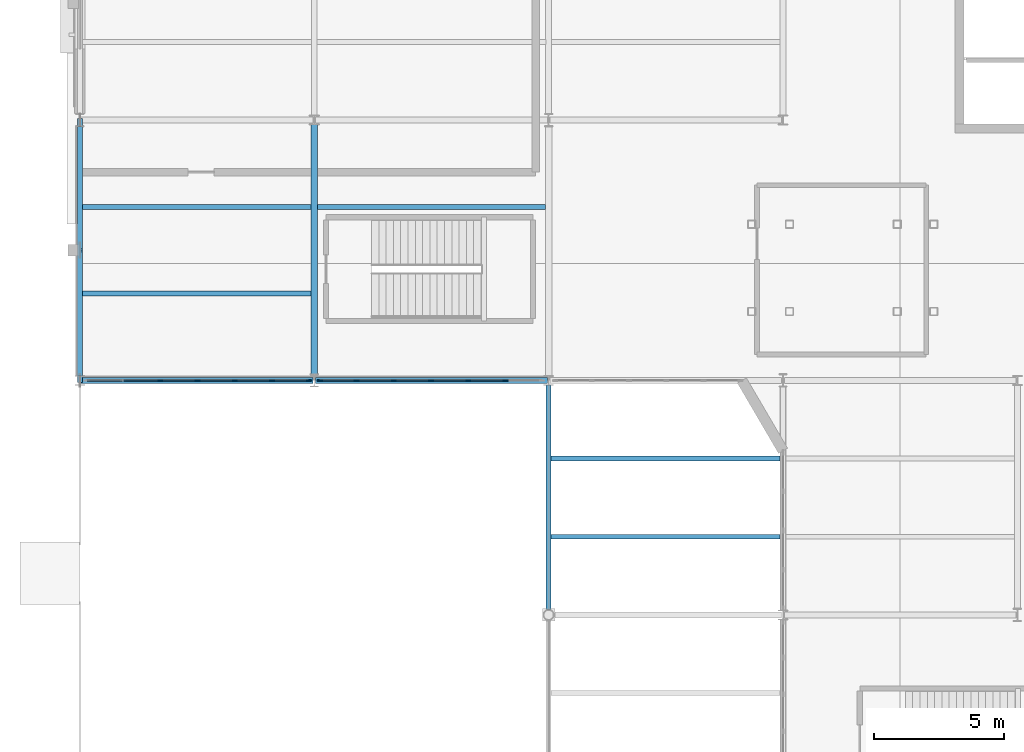
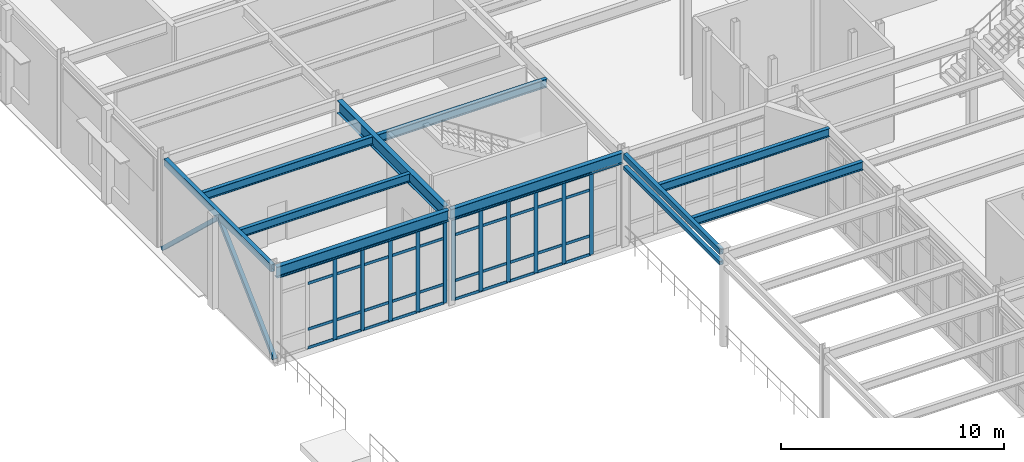
# One storey, part 29 of 79: 54 members, 11 beams, 2 elements without a shape of their own.
"""IFC4 building model written with IfcOpenShell, lengths in metres."""

from ifc_helpers import new_model, si_unit, direction, frame, origin, origin_2d, place, context, subcontext, project, spatial, rectangle, hollow_rectangle, i_section, extrude, material, material_profile, profile_set, type_object, element, aggregate, save


model = new_model("IFC4")

# Units and contexts
model_context = context("Model", 3, precision=1e-05, world=origin(), true_north=direction((0.0, 1.0)))
body_context = subcontext(model_context, "Body", "Model", "MODEL_VIEW")
ifc_project = project(units=[si_unit("LENGTHUNIT", "METRE"), si_unit("AREAUNIT", "SQUARE_METRE"), si_unit("VOLUMEUNIT", "CUBIC_METRE"), si_unit("PLANEANGLEUNIT", "RADIAN"), si_unit("MASSUNIT", "GRAM", prefix="KILO")], contexts=[model_context])

# Site, building, storey
site_placement = place(None, origin())
site = spatial("IfcSite", under=ifc_project, at=site_placement, CompositionType="ELEMENT")
building_placement = place(site_placement, origin())
building = spatial("IfcBuilding", under=site, at=building_placement, Name="Glasvene Arena", CompositionType="ELEMENT")
storey_placement = place(building_placement, origin())
storey = spatial("IfcBuildingStorey", under=building, at=storey_placement, Name="L00", CompositionType="ELEMENT", Elevation=0.0)

# Beams
ifc_material_1 = material(Name="Steel S355J2", Category="steel")
ifc_material_profile_1 = material_profile(ifc_material_1, i_section(OverallWidth=0.228271484375, OverallDepth=0.607666015625, WebThickness=0.010986328125, FlangeThickness=0.017333984375, FilletRadius=0.0126953125, at=origin_2d()), Name="UKB 610x229x113")
ifc_profile_set_1 = profile_set([ifc_material_profile_1], Name="Steel S355J2")
beam_type_1 = type_object("IfcBeamType", Name="BM-GIRD-610", PredefinedType="BEAM", material=ifc_profile_set_1)
for number, where, z_axis, x_axis, name in (
    (1, (0.050048828125, 54.0, 4.816162109375), (1.0, 0.0, 0.0), (0.0, 1.0, 0.0), "Primary X girder L00-0307"),
    (2, (9.050048828125, 54.0, 4.816162109375), (1.0, 0.0, 0.0), (0.0, 1.0, 0.0), "Primary X girder L00-0308"),
):
    element("IfcBeam", number, at=place(storey_placement, frame(where, z_axis=z_axis, x_axis=x_axis)), inside=storey, type_object=beam_type_1, Name=name, PredefinedType="BEAM", context=body_context, shape_type="SweptSolid", body=[
        extrude(i_section(OverallWidth=0.228271484375, OverallDepth=0.607666015625, WebThickness=0.010986328125, FlangeThickness=0.017333984375, FilletRadius=0.0126953125, at=origin_2d()), origin(), (0.0, 0.0, 1.0), 8.89990234375),
    ])
ifc_material_profile_2 = material_profile(ifc_material_1, i_section(OverallWidth=0.253662109375, OverallDepth=0.68359375, WebThickness=0.012451171875, FlangeThickness=0.01904296875, FilletRadius=0.01513671875, at=origin_2d()), Name="UKB 686x254x140")
ifc_profile_set_2 = profile_set([ifc_material_profile_2], Name="Steel S355J2")
beam_type_2 = type_object("IfcBeamType", Name="BM-GIRD-686", PredefinedType="BEAM", material=ifc_profile_set_2)
beam_1_placement = place(storey_placement, frame((9.0, 54.2451171875, 4.7783203125), z_axis=(0.0, 1.0, 0.0), x_axis=(-1.0, 0.0, 0.0)))
element("IfcBeam", 3, at=beam_1_placement, inside=storey, type_object=beam_type_2, Name="Primary Y girder L00-0365", PredefinedType="BEAM", context=body_context, shape_type="SweptSolid", body=[
    extrude(i_section(OverallWidth=0.253662109375, OverallDepth=0.68359375, WebThickness=0.012451171875, FlangeThickness=0.01904296875, FilletRadius=0.01513671875, at=origin_2d()), origin(), (0.0, 0.0, 1.0), 9.57568359375),
])
ifc_material_profile_3 = material_profile(ifc_material_1, i_section(OverallWidth=0.1904296875, OverallDepth=0.45703125, WebThickness=0.009033203125, FlangeThickness=0.014404296875, FilletRadius=0.01025390625, at=origin_2d()), Name="UKB 457x191x74")
ifc_profile_set_3 = profile_set([ifc_material_profile_3], Name="Steel S355J2")
beam_type_3 = type_object("IfcBeamType", Name="BM-JOIST-457", PredefinedType="JOIST", material=ifc_profile_set_3)
for number, where, z_axis, x_axis, name in (
    (4, (0.095947265625, 57.333251953125, 4.8916015625), (1.0, 0.0, 0.0), (0.0, 1.0, 0.0), "Composite floor joist L00-0430"),
    (5, (0.095947265625, 60.666748046875, 4.8916015625), (1.0, 0.0, 0.0), (0.0, 1.0, 0.0), "Composite floor joist L00-0431"),
):
    element("IfcBeam", number, at=place(storey_placement, frame(where, z_axis=z_axis, x_axis=x_axis)), inside=storey, type_object=beam_type_3, Name=name, PredefinedType="JOIST", context=body_context, shape_type="SweptSolid", body=[
        extrude(i_section(OverallWidth=0.1904296875, OverallDepth=0.45703125, WebThickness=0.009033203125, FlangeThickness=0.014404296875, FilletRadius=0.01025390625, at=origin_2d()), origin(), (0.0, 0.0, 1.0), 8.78125),
    ])
beam_2_placement = place(storey_placement, frame((9.122802734375, 60.666748046875, 4.8916015625), z_axis=(1.0, 0.0, 0.0), x_axis=(0.0, 1.0, 0.0)))
element("IfcBeam", 6, at=beam_2_placement, inside=storey, type_object=beam_type_3, Name="Composite floor joist L00-0440", PredefinedType="JOIST", context=body_context, shape_type="SweptSolid", body=[
    extrude(i_section(OverallWidth=0.1904296875, OverallDepth=0.45703125, WebThickness=0.009033203125, FlangeThickness=0.014404296875, FilletRadius=0.01025390625, at=origin_2d()), origin(), (0.0, 0.0, 1.0), 8.75439453125),
])
for number, where, z_axis, x_axis, name in (
    (7, (18.095947265625, 48.0, 4.8916015625), (1.0, 0.0, 0.0), (0.0, 1.0, 0.0), "Composite floor joist L00-0452"),
    (8, (18.095947265625, 51.0, 4.8916015625), (1.0, 0.0, 0.0), (0.0, 1.0, 0.0), "Composite floor joist L00-0453"),
):
    element("IfcBeam", number, at=place(storey_placement, frame(where, z_axis=z_axis, x_axis=x_axis)), inside=storey, type_object=beam_type_3, Name=name, PredefinedType="JOIST", context=body_context, shape_type="SweptSolid", body=[
        extrude(i_section(OverallWidth=0.1904296875, OverallDepth=0.45703125, WebThickness=0.009033203125, FlangeThickness=0.014404296875, FilletRadius=0.01025390625, at=origin_2d()), origin(), (0.0, 0.0, 1.0), 8.7939453125),
    ])
ifc_material_profile_4 = material_profile(ifc_material_1, hollow_rectangle(XDim=0.199951171875, YDim=0.199951171875, WallThickness=0.010009765625, at=origin_2d()), Name="SHS 200x200x10.0")
ifc_profile_set_4 = profile_set([ifc_material_profile_4], Name="Steel S355J2")
beam_type_4 = type_object("IfcBeamType", Name="BM-LINTEL-200", PredefinedType="LINTEL", material=ifc_profile_set_4)
beam_3_placement = place(storey_placement, frame((18.0, 45.19921875, 4.340087890625), z_axis=(0.0, 1.0, 0.0), x_axis=(-1.0, 0.0, 0.0)))
element("IfcBeam", 9, at=beam_3_placement, inside=storey, type_object=beam_type_4, Name="Passage portal lintel L00-2-5", PredefinedType="LINTEL", context=body_context, shape_type="SweptSolid", body=[
    extrude(hollow_rectangle(XDim=0.199951171875, YDim=0.199951171875, WallThickness=0.010009765625, at=origin_2d()), origin(), (0.0, 0.0, 1.0), 8.62060546875),
])
ifc_material_profile_5 = material_profile(ifc_material_1, hollow_rectangle(XDim=0.199951171875, YDim=0.300048828125, WallThickness=0.012451171875, at=origin_2d()), Name="RHS 300x200x12.5")
ifc_profile_set_5 = profile_set([ifc_material_profile_5], Name="Steel S355J2")
beam_type_5 = type_object("IfcBeamType", Name="BM-SPAND-300", PredefinedType="SPANDREL", material=ifc_profile_set_5)
beam_4_placement = place(storey_placement, frame((18.0, 45.1982421875, 4.969970703125), z_axis=(0.0, 1.0, 0.0), x_axis=(-1.0, 0.0, 0.0)))
element("IfcBeam", 10, at=beam_4_placement, inside=storey, type_object=beam_type_5, Name="Primary Y girder L00-0372", PredefinedType="SPANDREL", context=body_context, shape_type="SweptSolid", body=[
    extrude(hollow_rectangle(XDim=0.199951171875, YDim=0.300048828125, WallThickness=0.012451171875, at=origin_2d()), origin(), (0.0, 0.0, 1.0), 8.62255859375),
])
ifc_material_profile_6 = material_profile(ifc_material_1, hollow_rectangle(XDim=0.199951171875, YDim=0.39990234375, WallThickness=0.01611328125, at=origin_2d()), Name="RHS 400x200x16.0")
ifc_profile_set_6 = profile_set([ifc_material_profile_6], Name="Steel S355J2")
beam_type_6 = type_object("IfcBeamType", Name="BM-SPAND-400", PredefinedType="SPANDREL", material=ifc_profile_set_6)
beam_5_placement = place(storey_placement, frame((0.0, 54.17919921875, 4.919921875), z_axis=(0.0, 1.0, 0.0), x_axis=(-1.0, 0.0, 0.0)))
element("IfcBeam", 11, at=beam_5_placement, inside=storey, type_object=beam_type_6, Name="Primary Y girder L00-0355", PredefinedType="SPANDREL", context=body_context, shape_type="SweptSolid", body=[
    extrude(hollow_rectangle(XDim=0.199951171875, YDim=0.39990234375, WallThickness=0.01611328125, at=origin_2d()), origin(), (0.0, 0.0, 1.0), 9.57568359375),
])

# Curtain wall, members
ifc_material_2 = material(Name="Low-emissivity laminated double glazing", Category="glass")
curtain_wall_type = type_object("IfcCurtainWallType", Name="CW-FAC-L00-858x445", PredefinedType="USERDEFINED", material=ifc_material_2)
curtain_wall_1_placement = place(storey_placement, frame((17.771728515625, 54.0, 0.0)))
curtain_wall_1 = element("IfcCurtainWall", 12, at=curtain_wall_1_placement, inside=storey, type_object=curtain_wall_type, Name="Unitised curtain wall CW-F-L00-180-135-540-2", ObjectType="CURTAIN WALL", PredefinedType="USERDEFINED")
ifc_material_3 = material(Name="Anodised architectural aluminium", Category="aluminium")
ifc_material_profile_7 = material_profile(ifc_material_3, rectangle(XDim=0.050048828125, YDim=0.199951171875, at=origin_2d()), Name="ALU MULLION 50x200")
ifc_profile_set_7 = profile_set([ifc_material_profile_7], Name="Anodised architectural aluminium")
member_type_1 = type_object("IfcMemberType", Name="CW-MUL-180", PredefinedType="MULLION", material=ifc_profile_set_7)
member_1_placement = place(storey_placement, frame((16.341796875, 54.0, 0.06005859375), z_axis=(0.0, 0.0, 1.0), x_axis=(0.0, -1.0, 0.0)))
member_1 = element("IfcMember", 13, at=member_1_placement, type_object=member_type_1, Name="CW-002 mullion 2", PredefinedType="MULLION", context=body_context, shape_type="SweptSolid", body=[
    extrude(rectangle(XDim=0.050048828125, YDim=0.199951171875, at=origin_2d()), origin(), (0.0, 0.0, 1.0), 4.447021484375),
])
member_2_placement = place(storey_placement, frame((14.911865234375, 54.0, 0.06005859375), z_axis=(0.0, 0.0, 1.0), x_axis=(0.0, -1.0, 0.0)))
member_2 = element("IfcMember", 14, at=member_2_placement, type_object=member_type_1, Name="CW-002 mullion 3", PredefinedType="MULLION", context=body_context, shape_type="SweptSolid", body=[
    extrude(rectangle(XDim=0.050048828125, YDim=0.199951171875, at=origin_2d()), origin(), (0.0, 0.0, 1.0), 4.447021484375),
])
member_3_placement = place(storey_placement, frame((13.48193359375, 54.0, 0.06005859375), z_axis=(0.0, 0.0, 1.0), x_axis=(0.0, -1.0, 0.0)))
member_3 = element("IfcMember", 15, at=member_3_placement, type_object=member_type_1, Name="CW-002 mullion 4", PredefinedType="MULLION", context=body_context, shape_type="SweptSolid", body=[
    extrude(rectangle(XDim=0.050048828125, YDim=0.199951171875, at=origin_2d()), origin(), (0.0, 0.0, 1.0), 4.447021484375),
])
member_4_placement = place(storey_placement, frame((12.052001953125, 54.0, 0.06005859375), z_axis=(0.0, 0.0, 1.0), x_axis=(0.0, -1.0, 0.0)))
member_4 = element("IfcMember", 16, at=member_4_placement, type_object=member_type_1, Name="CW-002 mullion 5", PredefinedType="MULLION", context=body_context, shape_type="SweptSolid", body=[
    extrude(rectangle(XDim=0.050048828125, YDim=0.199951171875, at=origin_2d()), origin(), (0.0, 0.0, 1.0), 4.447021484375),
])
member_5_placement = place(storey_placement, frame((10.6220703125, 54.0, 0.06005859375), z_axis=(0.0, 0.0, 1.0), x_axis=(0.0, -1.0, 0.0)))
member_5 = element("IfcMember", 17, at=member_5_placement, type_object=member_type_1, Name="CW-002 mullion 6", PredefinedType="MULLION", context=body_context, shape_type="SweptSolid", body=[
    extrude(rectangle(XDim=0.050048828125, YDim=0.199951171875, at=origin_2d()), origin(), (0.0, 0.0, 1.0), 4.447021484375),
])
member_6_placement = place(storey_placement, frame((9.217041015625, 54.0, 0.06005859375), z_axis=(0.0, 0.0, 1.0), x_axis=(0.0, -1.0, 0.0)))
member_6 = element("IfcMember", 18, at=member_6_placement, type_object=member_type_1, Name="CW-002 mullion 7", PredefinedType="MULLION", context=body_context, shape_type="SweptSolid", body=[
    extrude(rectangle(XDim=0.050048828125, YDim=0.199951171875, at=origin_2d()), origin(), (0.0, 0.0, 1.0), 4.447021484375),
])

curtain_wall_2_placement = place(storey_placement, frame((8.80810546875, 54.0, 0.0)))
curtain_wall_2 = element("IfcCurtainWall", 19, at=curtain_wall_2_placement, inside=storey, type_object=curtain_wall_type, Name="Unitised curtain wall CW-F-L00-180-45-540-3", ObjectType="CURTAIN WALL", PredefinedType="USERDEFINED")
member_7_placement = place(storey_placement, frame((8.782958984375, 54.0, 0.06005859375), z_axis=(0.0, 0.0, 1.0), x_axis=(0.0, -1.0, 0.0)))
member_7 = element("IfcMember", 20, at=member_7_placement, type_object=member_type_1, Name="CW-002 mullion 1", PredefinedType="MULLION", context=body_context, shape_type="SweptSolid", body=[
    extrude(rectangle(XDim=0.050048828125, YDim=0.199951171875, at=origin_2d()), origin(), (0.0, 0.0, 1.0), 4.447021484375),
])
member_8_placement = place(storey_placement, frame((7.3779296875, 54.0, 0.06005859375), z_axis=(0.0, 0.0, 1.0), x_axis=(0.0, -1.0, 0.0)))
member_8 = element("IfcMember", 21, at=member_8_placement, type_object=member_type_1, Name="CW-002 mullion 2", PredefinedType="MULLION", context=body_context, shape_type="SweptSolid", body=[
    extrude(rectangle(XDim=0.050048828125, YDim=0.199951171875, at=origin_2d()), origin(), (0.0, 0.0, 1.0), 4.447021484375),
])
member_9_placement = place(storey_placement, frame((5.947998046875, 54.0, 0.06005859375), z_axis=(0.0, 0.0, 1.0), x_axis=(0.0, -1.0, 0.0)))
member_9 = element("IfcMember", 22, at=member_9_placement, type_object=member_type_1, Name="CW-002 mullion 3", PredefinedType="MULLION", context=body_context, shape_type="SweptSolid", body=[
    extrude(rectangle(XDim=0.050048828125, YDim=0.199951171875, at=origin_2d()), origin(), (0.0, 0.0, 1.0), 4.447021484375),
])
member_10_placement = place(storey_placement, frame((4.51806640625, 54.0, 0.06005859375), z_axis=(0.0, 0.0, 1.0), x_axis=(0.0, -1.0, 0.0)))
member_10 = element("IfcMember", 23, at=member_10_placement, type_object=member_type_1, Name="CW-002 mullion 4", PredefinedType="MULLION", context=body_context, shape_type="SweptSolid", body=[
    extrude(rectangle(XDim=0.050048828125, YDim=0.199951171875, at=origin_2d()), origin(), (0.0, 0.0, 1.0), 4.447021484375),
])
member_11_placement = place(storey_placement, frame((3.088134765625, 54.0, 0.06005859375), z_axis=(0.0, 0.0, 1.0), x_axis=(0.0, -1.0, 0.0)))
member_11 = element("IfcMember", 24, at=member_11_placement, type_object=member_type_1, Name="CW-002 mullion 5", PredefinedType="MULLION", context=body_context, shape_type="SweptSolid", body=[
    extrude(rectangle(XDim=0.050048828125, YDim=0.199951171875, at=origin_2d()), origin(), (0.0, 0.0, 1.0), 4.447021484375),
])

# Member
ifc_material_profile_8 = material_profile(ifc_material_3, rectangle(XDim=0.050048828125, YDim=0.14990234375, at=origin_2d()), Name="ALU TRANSOM 50x150")
ifc_profile_set_8 = profile_set([ifc_material_profile_8], Name="Anodised architectural aluminium")
member_type_2 = type_object("IfcMemberType", Name="CW-TRN-150", PredefinedType="USERDEFINED", material=ifc_profile_set_8)
member_12_placement = place(storey_placement, frame((16.316650390625, 54.0, 0.0849609375), z_axis=(-1.0, 0.0, 0.0), x_axis=(0.0, -1.0, 0.0)))
member_12 = element("IfcMember", 25, at=member_12_placement, type_object=member_type_2, Name="CW-002 transom 2.1", ObjectType="TRANSOM", PredefinedType="USERDEFINED", context=body_context, shape_type="SweptSolid", body=[
    extrude(rectangle(XDim=0.050048828125, YDim=0.14990234375, at=origin_2d()), origin(), (0.0, 0.0, 1.0), 1.3798828125),
])

member_13_placement = place(storey_placement, frame((16.316650390625, 54.0, 1.10009765625), z_axis=(-1.0, 0.0, 0.0), x_axis=(0.0, -1.0, 0.0)))
member_13 = element("IfcMember", 26, at=member_13_placement, type_object=member_type_2, Name="CW-002 transom 2.2", ObjectType="TRANSOM", PredefinedType="USERDEFINED", context=body_context, shape_type="SweptSolid", body=[
    extrude(rectangle(XDim=0.050048828125, YDim=0.14990234375, at=origin_2d()), origin(), (0.0, 0.0, 1.0), 1.3798828125),
])

member_14_placement = place(storey_placement, frame((16.316650390625, 54.0, 3.60693359375), z_axis=(-1.0, 0.0, 0.0), x_axis=(0.0, -1.0, 0.0)))
member_14 = element("IfcMember", 27, at=member_14_placement, type_object=member_type_2, Name="CW-002 transom 2.3", ObjectType="TRANSOM", PredefinedType="USERDEFINED", context=body_context, shape_type="SweptSolid", body=[
    extrude(rectangle(XDim=0.050048828125, YDim=0.14990234375, at=origin_2d()), origin(), (0.0, 0.0, 1.0), 1.3798828125),
])

member_15_placement = place(storey_placement, frame((16.316650390625, 54.0, 4.48193359375), z_axis=(-1.0, 0.0, 0.0), x_axis=(0.0, -1.0, 0.0)))
member_15 = element("IfcMember", 28, at=member_15_placement, type_object=member_type_2, Name="CW-002 transom 2.4", ObjectType="TRANSOM", PredefinedType="USERDEFINED", context=body_context, shape_type="SweptSolid", body=[
    extrude(rectangle(XDim=0.050048828125, YDim=0.14990234375, at=origin_2d()), origin(), (0.0, 0.0, 1.0), 1.3798828125),
])

member_16_placement = place(storey_placement, frame((14.88671875, 54.0, 0.0849609375), z_axis=(-1.0, 0.0, 0.0), x_axis=(0.0, -1.0, 0.0)))
member_16 = element("IfcMember", 29, at=member_16_placement, type_object=member_type_2, Name="CW-002 transom 3.1", ObjectType="TRANSOM", PredefinedType="USERDEFINED", context=body_context, shape_type="SweptSolid", body=[
    extrude(rectangle(XDim=0.050048828125, YDim=0.14990234375, at=origin_2d()), origin(), (0.0, 0.0, 1.0), 1.3798828125),
])

member_17_placement = place(storey_placement, frame((14.88671875, 54.0, 1.10009765625), z_axis=(-1.0, 0.0, 0.0), x_axis=(0.0, -1.0, 0.0)))
member_17 = element("IfcMember", 30, at=member_17_placement, type_object=member_type_2, Name="CW-002 transom 3.2", ObjectType="TRANSOM", PredefinedType="USERDEFINED", context=body_context, shape_type="SweptSolid", body=[
    extrude(rectangle(XDim=0.050048828125, YDim=0.14990234375, at=origin_2d()), origin(), (0.0, 0.0, 1.0), 1.3798828125),
])

member_18_placement = place(storey_placement, frame((14.88671875, 54.0, 3.60693359375), z_axis=(-1.0, 0.0, 0.0), x_axis=(0.0, -1.0, 0.0)))
member_18 = element("IfcMember", 31, at=member_18_placement, type_object=member_type_2, Name="CW-002 transom 3.3", ObjectType="TRANSOM", PredefinedType="USERDEFINED", context=body_context, shape_type="SweptSolid", body=[
    extrude(rectangle(XDim=0.050048828125, YDim=0.14990234375, at=origin_2d()), origin(), (0.0, 0.0, 1.0), 1.3798828125),
])

member_19_placement = place(storey_placement, frame((14.88671875, 54.0, 4.48193359375), z_axis=(-1.0, 0.0, 0.0), x_axis=(0.0, -1.0, 0.0)))
member_19 = element("IfcMember", 32, at=member_19_placement, type_object=member_type_2, Name="CW-002 transom 3.4", ObjectType="TRANSOM", PredefinedType="USERDEFINED", context=body_context, shape_type="SweptSolid", body=[
    extrude(rectangle(XDim=0.050048828125, YDim=0.14990234375, at=origin_2d()), origin(), (0.0, 0.0, 1.0), 1.3798828125),
])

member_20_placement = place(storey_placement, frame((13.456787109375, 54.0, 0.0849609375), z_axis=(-1.0, 0.0, 0.0), x_axis=(0.0, -1.0, 0.0)))
member_20 = element("IfcMember", 33, at=member_20_placement, type_object=member_type_2, Name="CW-002 transom 4.1", ObjectType="TRANSOM", PredefinedType="USERDEFINED", context=body_context, shape_type="SweptSolid", body=[
    extrude(rectangle(XDim=0.050048828125, YDim=0.14990234375, at=origin_2d()), origin(), (0.0, 0.0, 1.0), 1.3798828125),
])

member_21_placement = place(storey_placement, frame((13.456787109375, 54.0, 1.10009765625), z_axis=(-1.0, 0.0, 0.0), x_axis=(0.0, -1.0, 0.0)))
member_21 = element("IfcMember", 34, at=member_21_placement, type_object=member_type_2, Name="CW-002 transom 4.2", ObjectType="TRANSOM", PredefinedType="USERDEFINED", context=body_context, shape_type="SweptSolid", body=[
    extrude(rectangle(XDim=0.050048828125, YDim=0.14990234375, at=origin_2d()), origin(), (0.0, 0.0, 1.0), 1.3798828125),
])

member_22_placement = place(storey_placement, frame((13.456787109375, 54.0, 3.60693359375), z_axis=(-1.0, 0.0, 0.0), x_axis=(0.0, -1.0, 0.0)))
member_22 = element("IfcMember", 35, at=member_22_placement, type_object=member_type_2, Name="CW-002 transom 4.3", ObjectType="TRANSOM", PredefinedType="USERDEFINED", context=body_context, shape_type="SweptSolid", body=[
    extrude(rectangle(XDim=0.050048828125, YDim=0.14990234375, at=origin_2d()), origin(), (0.0, 0.0, 1.0), 1.3798828125),
])

member_23_placement = place(storey_placement, frame((13.456787109375, 54.0, 4.48193359375), z_axis=(-1.0, 0.0, 0.0), x_axis=(0.0, -1.0, 0.0)))
member_23 = element("IfcMember", 36, at=member_23_placement, type_object=member_type_2, Name="CW-002 transom 4.4", ObjectType="TRANSOM", PredefinedType="USERDEFINED", context=body_context, shape_type="SweptSolid", body=[
    extrude(rectangle(XDim=0.050048828125, YDim=0.14990234375, at=origin_2d()), origin(), (0.0, 0.0, 1.0), 1.3798828125),
])

member_24_placement = place(storey_placement, frame((12.02685546875, 54.0, 0.0849609375), z_axis=(-1.0, 0.0, 0.0), x_axis=(0.0, -1.0, 0.0)))
member_24 = element("IfcMember", 37, at=member_24_placement, type_object=member_type_2, Name="CW-002 transom 5.1", ObjectType="TRANSOM", PredefinedType="USERDEFINED", context=body_context, shape_type="SweptSolid", body=[
    extrude(rectangle(XDim=0.050048828125, YDim=0.14990234375, at=origin_2d()), origin(), (0.0, 0.0, 1.0), 1.3798828125),
])

member_25_placement = place(storey_placement, frame((12.02685546875, 54.0, 1.10009765625), z_axis=(-1.0, 0.0, 0.0), x_axis=(0.0, -1.0, 0.0)))
member_25 = element("IfcMember", 38, at=member_25_placement, type_object=member_type_2, Name="CW-002 transom 5.2", ObjectType="TRANSOM", PredefinedType="USERDEFINED", context=body_context, shape_type="SweptSolid", body=[
    extrude(rectangle(XDim=0.050048828125, YDim=0.14990234375, at=origin_2d()), origin(), (0.0, 0.0, 1.0), 1.3798828125),
])

member_26_placement = place(storey_placement, frame((12.02685546875, 54.0, 3.60693359375), z_axis=(-1.0, 0.0, 0.0), x_axis=(0.0, -1.0, 0.0)))
member_26 = element("IfcMember", 39, at=member_26_placement, type_object=member_type_2, Name="CW-002 transom 5.3", ObjectType="TRANSOM", PredefinedType="USERDEFINED", context=body_context, shape_type="SweptSolid", body=[
    extrude(rectangle(XDim=0.050048828125, YDim=0.14990234375, at=origin_2d()), origin(), (0.0, 0.0, 1.0), 1.3798828125),
])

member_27_placement = place(storey_placement, frame((12.02685546875, 54.0, 4.48193359375), z_axis=(-1.0, 0.0, 0.0), x_axis=(0.0, -1.0, 0.0)))
member_27 = element("IfcMember", 40, at=member_27_placement, type_object=member_type_2, Name="CW-002 transom 5.4", ObjectType="TRANSOM", PredefinedType="USERDEFINED", context=body_context, shape_type="SweptSolid", body=[
    extrude(rectangle(XDim=0.050048828125, YDim=0.14990234375, at=origin_2d()), origin(), (0.0, 0.0, 1.0), 1.3798828125),
])

member_28_placement = place(storey_placement, frame((10.596923828125, 54.0, 0.0849609375), z_axis=(-1.0, 0.0, 0.0), x_axis=(0.0, -1.0, 0.0)))
member_28 = element("IfcMember", 41, at=member_28_placement, type_object=member_type_2, Name="CW-002 transom 6.1", ObjectType="TRANSOM", PredefinedType="USERDEFINED", context=body_context, shape_type="SweptSolid", body=[
    extrude(rectangle(XDim=0.050048828125, YDim=0.14990234375, at=origin_2d()), origin(), (0.0, 0.0, 1.0), 1.35498046875),
])

member_29_placement = place(storey_placement, frame((10.596923828125, 54.0, 1.10009765625), z_axis=(-1.0, 0.0, 0.0), x_axis=(0.0, -1.0, 0.0)))
member_29 = element("IfcMember", 42, at=member_29_placement, type_object=member_type_2, Name="CW-002 transom 6.2", ObjectType="TRANSOM", PredefinedType="USERDEFINED", context=body_context, shape_type="SweptSolid", body=[
    extrude(rectangle(XDim=0.050048828125, YDim=0.14990234375, at=origin_2d()), origin(), (0.0, 0.0, 1.0), 1.35498046875),
])

member_30_placement = place(storey_placement, frame((10.596923828125, 54.0, 3.60693359375), z_axis=(-1.0, 0.0, 0.0), x_axis=(0.0, -1.0, 0.0)))
member_30 = element("IfcMember", 43, at=member_30_placement, type_object=member_type_2, Name="CW-002 transom 6.3", ObjectType="TRANSOM", PredefinedType="USERDEFINED", context=body_context, shape_type="SweptSolid", body=[
    extrude(rectangle(XDim=0.050048828125, YDim=0.14990234375, at=origin_2d()), origin(), (0.0, 0.0, 1.0), 1.35498046875),
])

member_31_placement = place(storey_placement, frame((10.596923828125, 54.0, 4.48193359375), z_axis=(-1.0, 0.0, 0.0), x_axis=(0.0, -1.0, 0.0)))
member_31 = element("IfcMember", 44, at=member_31_placement, type_object=member_type_2, Name="CW-002 transom 6.4", ObjectType="TRANSOM", PredefinedType="USERDEFINED", context=body_context, shape_type="SweptSolid", body=[
    extrude(rectangle(XDim=0.050048828125, YDim=0.14990234375, at=origin_2d()), origin(), (0.0, 0.0, 1.0), 1.35498046875),
])

aggregate(curtain_wall_1, [member_1, member_2, member_3, member_4, member_5, member_6, member_12, member_13, member_14, member_15, member_16, member_17, member_18, member_19, member_20, member_21, member_22, member_23, member_24, member_25, member_26, member_27, member_28, member_29, member_30, member_31])

member_32_placement = place(storey_placement, frame((8.758056640625, 54.0, 0.0849609375), z_axis=(-1.0, 0.0, 0.0), x_axis=(0.0, -1.0, 0.0)))
member_32 = element("IfcMember", 45, at=member_32_placement, type_object=member_type_2, Name="CW-002 transom 1.1", ObjectType="TRANSOM", PredefinedType="USERDEFINED", context=body_context, shape_type="SweptSolid", body=[
    extrude(rectangle(XDim=0.050048828125, YDim=0.14990234375, at=origin_2d()), origin(), (0.0, 0.0, 1.0), 1.35498046875),
])

member_33_placement = place(storey_placement, frame((8.758056640625, 54.0, 1.10009765625), z_axis=(-1.0, 0.0, 0.0), x_axis=(0.0, -1.0, 0.0)))
member_33 = element("IfcMember", 46, at=member_33_placement, type_object=member_type_2, Name="CW-002 transom 1.2", ObjectType="TRANSOM", PredefinedType="USERDEFINED", context=body_context, shape_type="SweptSolid", body=[
    extrude(rectangle(XDim=0.050048828125, YDim=0.14990234375, at=origin_2d()), origin(), (0.0, 0.0, 1.0), 1.35498046875),
])

member_34_placement = place(storey_placement, frame((8.758056640625, 54.0, 3.60693359375), z_axis=(-1.0, 0.0, 0.0), x_axis=(0.0, -1.0, 0.0)))
member_34 = element("IfcMember", 47, at=member_34_placement, type_object=member_type_2, Name="CW-002 transom 1.3", ObjectType="TRANSOM", PredefinedType="USERDEFINED", context=body_context, shape_type="SweptSolid", body=[
    extrude(rectangle(XDim=0.050048828125, YDim=0.14990234375, at=origin_2d()), origin(), (0.0, 0.0, 1.0), 1.35498046875),
])

member_35_placement = place(storey_placement, frame((8.758056640625, 54.0, 4.48193359375), z_axis=(-1.0, 0.0, 0.0), x_axis=(0.0, -1.0, 0.0)))
member_35 = element("IfcMember", 48, at=member_35_placement, type_object=member_type_2, Name="CW-002 transom 1.4", ObjectType="TRANSOM", PredefinedType="USERDEFINED", context=body_context, shape_type="SweptSolid", body=[
    extrude(rectangle(XDim=0.050048828125, YDim=0.14990234375, at=origin_2d()), origin(), (0.0, 0.0, 1.0), 1.35498046875),
])

member_36_placement = place(storey_placement, frame((7.35302734375, 54.0, 0.0849609375), z_axis=(-1.0, 0.0, 0.0), x_axis=(0.0, -1.0, 0.0)))
member_36 = element("IfcMember", 49, at=member_36_placement, type_object=member_type_2, Name="CW-002 transom 2.1", ObjectType="TRANSOM", PredefinedType="USERDEFINED", context=body_context, shape_type="SweptSolid", body=[
    extrude(rectangle(XDim=0.050048828125, YDim=0.14990234375, at=origin_2d()), origin(), (0.0, 0.0, 1.0), 1.3798828125),
])

member_37_placement = place(storey_placement, frame((7.35302734375, 54.0, 1.10009765625), z_axis=(-1.0, 0.0, 0.0), x_axis=(0.0, -1.0, 0.0)))
member_37 = element("IfcMember", 50, at=member_37_placement, type_object=member_type_2, Name="CW-002 transom 2.2", ObjectType="TRANSOM", PredefinedType="USERDEFINED", context=body_context, shape_type="SweptSolid", body=[
    extrude(rectangle(XDim=0.050048828125, YDim=0.14990234375, at=origin_2d()), origin(), (0.0, 0.0, 1.0), 1.3798828125),
])

member_38_placement = place(storey_placement, frame((7.35302734375, 54.0, 3.60693359375), z_axis=(-1.0, 0.0, 0.0), x_axis=(0.0, -1.0, 0.0)))
member_38 = element("IfcMember", 51, at=member_38_placement, type_object=member_type_2, Name="CW-002 transom 2.3", ObjectType="TRANSOM", PredefinedType="USERDEFINED", context=body_context, shape_type="SweptSolid", body=[
    extrude(rectangle(XDim=0.050048828125, YDim=0.14990234375, at=origin_2d()), origin(), (0.0, 0.0, 1.0), 1.3798828125),
])

member_39_placement = place(storey_placement, frame((7.35302734375, 54.0, 4.48193359375), z_axis=(-1.0, 0.0, 0.0), x_axis=(0.0, -1.0, 0.0)))
member_39 = element("IfcMember", 52, at=member_39_placement, type_object=member_type_2, Name="CW-002 transom 2.4", ObjectType="TRANSOM", PredefinedType="USERDEFINED", context=body_context, shape_type="SweptSolid", body=[
    extrude(rectangle(XDim=0.050048828125, YDim=0.14990234375, at=origin_2d()), origin(), (0.0, 0.0, 1.0), 1.3798828125),
])

member_40_placement = place(storey_placement, frame((5.923095703125, 54.0, 0.0849609375), z_axis=(-1.0, 0.0, 0.0), x_axis=(0.0, -1.0, 0.0)))
member_40 = element("IfcMember", 53, at=member_40_placement, type_object=member_type_2, Name="CW-002 transom 3.1", ObjectType="TRANSOM", PredefinedType="USERDEFINED", context=body_context, shape_type="SweptSolid", body=[
    extrude(rectangle(XDim=0.050048828125, YDim=0.14990234375, at=origin_2d()), origin(), (0.0, 0.0, 1.0), 1.3798828125),
])

member_41_placement = place(storey_placement, frame((5.923095703125, 54.0, 1.10009765625), z_axis=(-1.0, 0.0, 0.0), x_axis=(0.0, -1.0, 0.0)))
member_41 = element("IfcMember", 54, at=member_41_placement, type_object=member_type_2, Name="CW-002 transom 3.2", ObjectType="TRANSOM", PredefinedType="USERDEFINED", context=body_context, shape_type="SweptSolid", body=[
    extrude(rectangle(XDim=0.050048828125, YDim=0.14990234375, at=origin_2d()), origin(), (0.0, 0.0, 1.0), 1.3798828125),
])

member_42_placement = place(storey_placement, frame((5.923095703125, 54.0, 3.60693359375), z_axis=(-1.0, 0.0, 0.0), x_axis=(0.0, -1.0, 0.0)))
member_42 = element("IfcMember", 55, at=member_42_placement, type_object=member_type_2, Name="CW-002 transom 3.3", ObjectType="TRANSOM", PredefinedType="USERDEFINED", context=body_context, shape_type="SweptSolid", body=[
    extrude(rectangle(XDim=0.050048828125, YDim=0.14990234375, at=origin_2d()), origin(), (0.0, 0.0, 1.0), 1.3798828125),
])

member_43_placement = place(storey_placement, frame((5.923095703125, 54.0, 4.48193359375), z_axis=(-1.0, 0.0, 0.0), x_axis=(0.0, -1.0, 0.0)))
member_43 = element("IfcMember", 56, at=member_43_placement, type_object=member_type_2, Name="CW-002 transom 3.4", ObjectType="TRANSOM", PredefinedType="USERDEFINED", context=body_context, shape_type="SweptSolid", body=[
    extrude(rectangle(XDim=0.050048828125, YDim=0.14990234375, at=origin_2d()), origin(), (0.0, 0.0, 1.0), 1.3798828125),
])

member_44_placement = place(storey_placement, frame((4.4931640625, 54.0, 0.0849609375), z_axis=(-1.0, 0.0, 0.0), x_axis=(0.0, -1.0, 0.0)))
member_44 = element("IfcMember", 57, at=member_44_placement, type_object=member_type_2, Name="CW-002 transom 4.1", ObjectType="TRANSOM", PredefinedType="USERDEFINED", context=body_context, shape_type="SweptSolid", body=[
    extrude(rectangle(XDim=0.050048828125, YDim=0.14990234375, at=origin_2d()), origin(), (0.0, 0.0, 1.0), 1.3798828125),
])

member_45_placement = place(storey_placement, frame((4.4931640625, 54.0, 1.10009765625), z_axis=(-1.0, 0.0, 0.0), x_axis=(0.0, -1.0, 0.0)))
member_45 = element("IfcMember", 58, at=member_45_placement, type_object=member_type_2, Name="CW-002 transom 4.2", ObjectType="TRANSOM", PredefinedType="USERDEFINED", context=body_context, shape_type="SweptSolid", body=[
    extrude(rectangle(XDim=0.050048828125, YDim=0.14990234375, at=origin_2d()), origin(), (0.0, 0.0, 1.0), 1.3798828125),
])

member_46_placement = place(storey_placement, frame((4.4931640625, 54.0, 3.60693359375), z_axis=(-1.0, 0.0, 0.0), x_axis=(0.0, -1.0, 0.0)))
member_46 = element("IfcMember", 59, at=member_46_placement, type_object=member_type_2, Name="CW-002 transom 4.3", ObjectType="TRANSOM", PredefinedType="USERDEFINED", context=body_context, shape_type="SweptSolid", body=[
    extrude(rectangle(XDim=0.050048828125, YDim=0.14990234375, at=origin_2d()), origin(), (0.0, 0.0, 1.0), 1.3798828125),
])

member_47_placement = place(storey_placement, frame((4.4931640625, 54.0, 4.48193359375), z_axis=(-1.0, 0.0, 0.0), x_axis=(0.0, -1.0, 0.0)))
member_47 = element("IfcMember", 60, at=member_47_placement, type_object=member_type_2, Name="CW-002 transom 4.4", ObjectType="TRANSOM", PredefinedType="USERDEFINED", context=body_context, shape_type="SweptSolid", body=[
    extrude(rectangle(XDim=0.050048828125, YDim=0.14990234375, at=origin_2d()), origin(), (0.0, 0.0, 1.0), 1.3798828125),
])

member_48_placement = place(storey_placement, frame((3.063232421875, 54.0, 0.0849609375), z_axis=(-1.0, 0.0, 0.0), x_axis=(0.0, -1.0, 0.0)))
member_48 = element("IfcMember", 61, at=member_48_placement, type_object=member_type_2, Name="CW-002 transom 5.1", ObjectType="TRANSOM", PredefinedType="USERDEFINED", context=body_context, shape_type="SweptSolid", body=[
    extrude(rectangle(XDim=0.050048828125, YDim=0.14990234375, at=origin_2d()), origin(), (0.0, 0.0, 1.0), 1.3798828125),
])

member_49_placement = place(storey_placement, frame((3.063232421875, 54.0, 1.10009765625), z_axis=(-1.0, 0.0, 0.0), x_axis=(0.0, -1.0, 0.0)))
member_49 = element("IfcMember", 62, at=member_49_placement, type_object=member_type_2, Name="CW-002 transom 5.2", ObjectType="TRANSOM", PredefinedType="USERDEFINED", context=body_context, shape_type="SweptSolid", body=[
    extrude(rectangle(XDim=0.050048828125, YDim=0.14990234375, at=origin_2d()), origin(), (0.0, 0.0, 1.0), 1.3798828125),
])

member_50_placement = place(storey_placement, frame((3.063232421875, 54.0, 3.60693359375), z_axis=(-1.0, 0.0, 0.0), x_axis=(0.0, -1.0, 0.0)))
member_50 = element("IfcMember", 63, at=member_50_placement, type_object=member_type_2, Name="CW-002 transom 5.3", ObjectType="TRANSOM", PredefinedType="USERDEFINED", context=body_context, shape_type="SweptSolid", body=[
    extrude(rectangle(XDim=0.050048828125, YDim=0.14990234375, at=origin_2d()), origin(), (0.0, 0.0, 1.0), 1.3798828125),
])

member_51_placement = place(storey_placement, frame((3.063232421875, 54.0, 4.48193359375), z_axis=(-1.0, 0.0, 0.0), x_axis=(0.0, -1.0, 0.0)))
member_51 = element("IfcMember", 64, at=member_51_placement, type_object=member_type_2, Name="CW-002 transom 5.4", ObjectType="TRANSOM", PredefinedType="USERDEFINED", context=body_context, shape_type="SweptSolid", body=[
    extrude(rectangle(XDim=0.050048828125, YDim=0.14990234375, at=origin_2d()), origin(), (0.0, 0.0, 1.0), 1.3798828125),
])

member_52_placement = place(storey_placement, frame((1.63330078125, 54.0, 4.48193359375), z_axis=(-1.0, 0.0, 0.0), x_axis=(0.0, -1.0, 0.0)))
member_52 = element("IfcMember", 65, at=member_52_placement, type_object=member_type_2, Name="CW-002 transom 6.4", ObjectType="TRANSOM", PredefinedType="USERDEFINED", context=body_context, shape_type="SweptSolid", body=[
    extrude(rectangle(XDim=0.050048828125, YDim=0.14990234375, at=origin_2d()), origin(), (0.0, 0.0, 1.0), 1.35498046875),
])

aggregate(curtain_wall_2, [member_7, member_8, member_9, member_10, member_11, member_32, member_33, member_34, member_35, member_36, member_37, member_38, member_39, member_40, member_41, member_42, member_43, member_44, member_45, member_46, member_47, member_48, member_49, member_50, member_51, member_52])

# Members
ifc_material_profile_9 = material_profile(ifc_material_1, hollow_rectangle(XDim=0.199951171875, YDim=0.199951171875, WallThickness=0.010009765625, at=origin_2d()), Name="SHS 200x200x10.0")
ifc_profile_set_9 = profile_set([ifc_material_profile_9], Name="Steel S355J2")
member_type_3 = type_object("IfcMemberType", Name="MB-BRACE-SHS200", PredefinedType="BRACE", material=ifc_profile_set_9)
for number, where, z_axis, x_axis, name in (
    (66, (0.0, 54.0, 0.050048828125), (0.0, 0.727176590058, 0.686450440215), (-1.0, 0.0, 0.0), "Perimeter lateral chevron brace L00-009-A"),
    (67, (0.0, 64.0, 0.050048828125), (0.0, -0.727176590058, 0.686450440215), (1.0, 0.0, 0.0), "Perimeter lateral chevron brace L00-010-B"),
):
    element("IfcMember", number, at=place(storey_placement, frame(where, z_axis=z_axis, x_axis=x_axis)), inside=storey, type_object=member_type_3, Name=name, PredefinedType="BRACE", context=body_context, shape_type="SweptSolid", body=[
        extrude(hollow_rectangle(XDim=0.199951171875, YDim=0.199951171875, WallThickness=0.010009765625, at=origin_2d()), origin(), (0.0, 0.0, 1.0), 6.8759765625),
    ])

save(model, "model.ifc")
